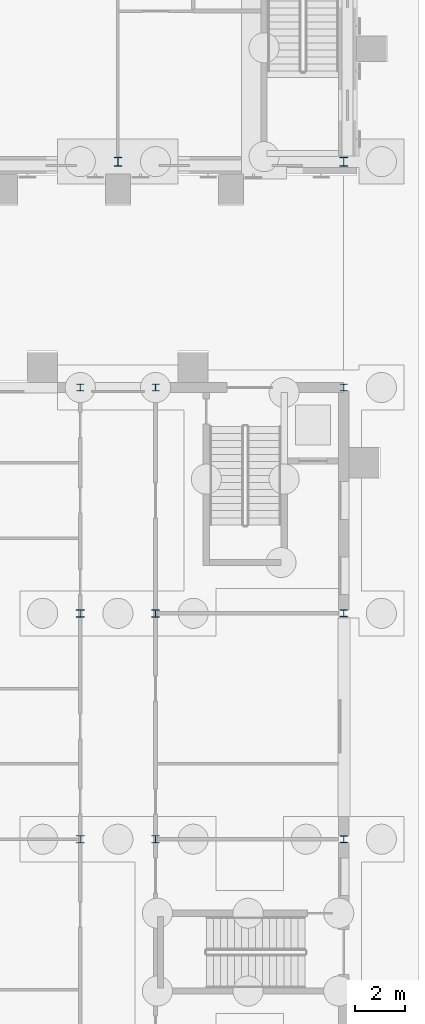
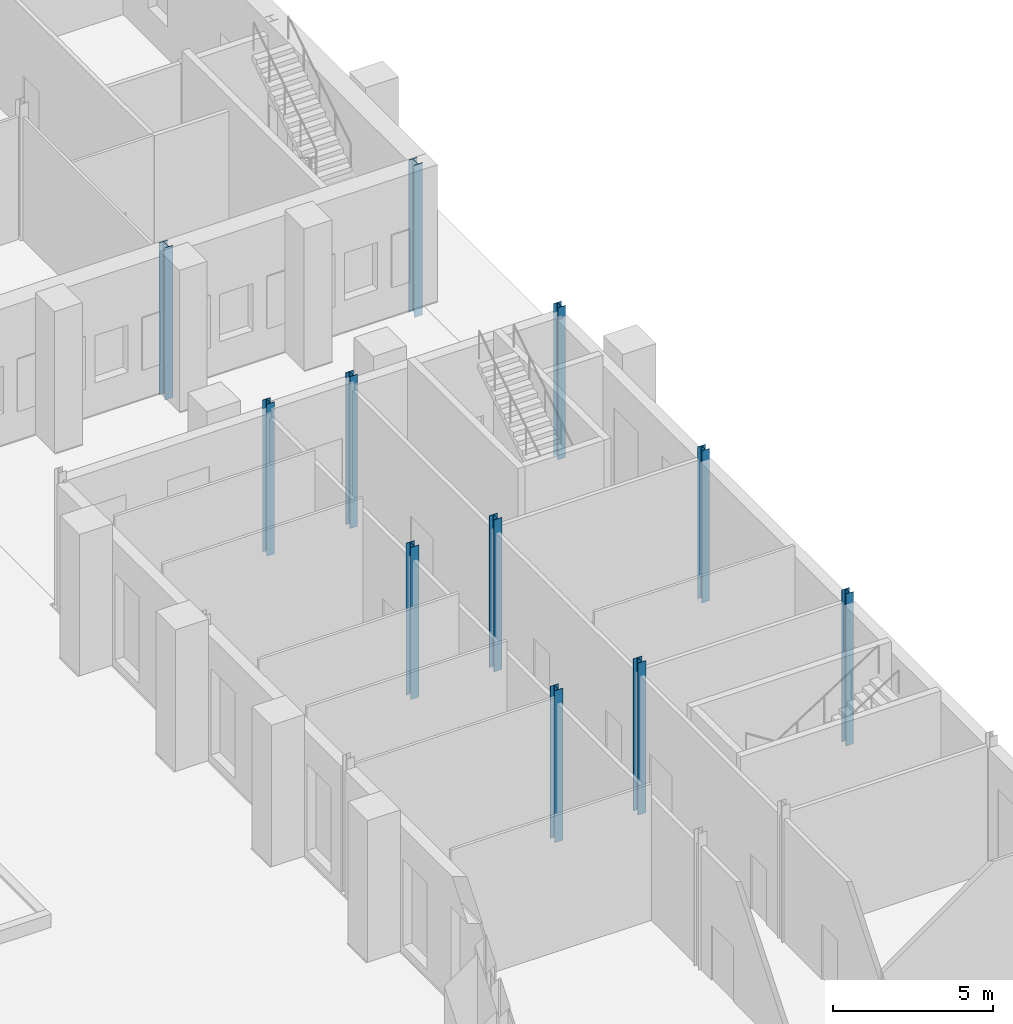
# One storey, part 31 of 168: 11 columns.
"""IFC4 building model written with IfcOpenShell, lengths in metres."""

from ifc_helpers import new_model, si_unit, direction, frame, origin, origin_2d, place, context, subcontext, project, spatial, i_section, extrude, material, material_profile, profile_set, type_object, element, save


model = new_model("IFC4")

# Units and contexts
model_context = context("Model", 3, precision=1e-05, world=origin(), true_north=direction((0.0, 1.0)))
body_context = subcontext(model_context, "Body", "Model", "MODEL_VIEW")
ifc_project = project(units=[si_unit("LENGTHUNIT", "METRE"), si_unit("AREAUNIT", "SQUARE_METRE"), si_unit("VOLUMEUNIT", "CUBIC_METRE"), si_unit("PLANEANGLEUNIT", "RADIAN"), si_unit("MASSUNIT", "GRAM", prefix="KILO")], contexts=[model_context])

# Site, building, storey
site_placement = place(None, origin())
site = spatial("IfcSite", under=ifc_project, at=site_placement, CompositionType="ELEMENT")
building_placement = place(site_placement, origin())
building = spatial("IfcBuilding", under=site, at=building_placement, Name="Golden Quay Civic Hall", CompositionType="ELEMENT")
storey_placement = place(building_placement, origin())
storey = spatial("IfcBuildingStorey", under=building, at=storey_placement, Name="L00", CompositionType="ELEMENT", Elevation=0.0)

# Columns
ifc_material_1 = material(Name="Steel S355", Category="steel")
ifc_material_profile_1 = material_profile(ifc_material_1, i_section(OverallWidth=0.280029296875, OverallDepth=0.27001953125, WebThickness=0.008056640625, FlangeThickness=0.012939453125, FilletRadius=0.02392578125, at=origin_2d()), Name="HEA 280")
ifc_profile_set_1 = profile_set([ifc_material_profile_1], Name="Steel S355")
column_type_1 = type_object("IfcColumnType", Name="Steel column HEA 280", PredefinedType="COLUMN", material=ifc_profile_set_1)
for number, where, z_axis, x_axis, name in (
    (1, (160.5, 54.0, -0.60009765625), (0.0, 0.0, 1.0), (1.0, 0.0, 0.0), "Column 160.5/54 L00"),
    (2, (163.5, 54.0, -0.60009765625), (0.0, 0.0, 1.0), (1.0, 0.0, 0.0), "Column 163.5/54 L00"),
    (3, (171.0, 36.0, -0.60009765625), (0.0, 0.0, 1.0), (1.0, 0.0, 0.0), "Column 171/36 L00"),
    (4, (171.0, 45.0, -0.60009765625), (0.0, 0.0, 1.0), (1.0, 0.0, 0.0), "Column 171/45 L00"),
    (5, (171.0, 54.0, -0.60009765625), (0.0, 0.0, 1.0), (1.0, 0.0, 0.0), "Column 171/54 L00"),
):
    element("IfcColumn", number, at=place(storey_placement, frame(where, z_axis=z_axis, x_axis=x_axis)), inside=storey, type_object=column_type_1, Name=name, PredefinedType="COLUMN", context=body_context, shape_type="SweptSolid", body=[
        extrude(i_section(OverallWidth=0.280029296875, OverallDepth=0.27001953125, WebThickness=0.008056640625, FlangeThickness=0.012939453125, FilletRadius=0.02392578125, at=origin_2d()), origin(), (0.0, 0.0, 1.0), 5.800048828125),
    ])
ifc_material_2 = material(Name="Steel S355", Category="steel")
ifc_material_profile_2 = material_profile(ifc_material_2, i_section(OverallWidth=0.300048828125, OverallDepth=0.2900390625, WebThickness=0.008544921875, FlangeThickness=0.013916015625, FilletRadius=0.027099609375, at=origin_2d()), Name="HEA 300")
ifc_profile_set_2 = profile_set([ifc_material_profile_2], Name="Steel S355")
column_type_2 = type_object("IfcColumnType", Name="Steel column HEA 300", PredefinedType="COLUMN", material=ifc_profile_set_2)
for number, where, z_axis, x_axis, name in (
    (6, (160.5, 36.0, -0.60009765625), (0.0, 0.0, 1.0), (1.0, 0.0, 0.0), "Column 160.5/36 L00"),
    (7, (160.5, 45.0, -0.60009765625), (0.0, 0.0, 1.0), (1.0, 0.0, 0.0), "Column 160.5/45 L00"),
    (8, (163.5, 36.0, -0.60009765625), (0.0, 0.0, 1.0), (1.0, 0.0, 0.0), "Column 163.5/36 L00"),
    (9, (163.5, 45.0, -0.60009765625), (0.0, 0.0, 1.0), (1.0, 0.0, 0.0), "Column 163.5/45 L00"),
):
    element("IfcColumn", number, at=place(storey_placement, frame(where, z_axis=z_axis, x_axis=x_axis)), inside=storey, type_object=column_type_2, Name=name, PredefinedType="COLUMN", context=body_context, shape_type="SweptSolid", body=[
        extrude(i_section(OverallWidth=0.300048828125, OverallDepth=0.2900390625, WebThickness=0.008544921875, FlangeThickness=0.013916015625, FilletRadius=0.027099609375, at=origin_2d()), origin(), (0.0, 0.0, 1.0), 5.800048828125),
    ])
ifc_material_3 = material(Name="Steel S355", Category="steel")
ifc_material_profile_3 = material_profile(ifc_material_3, i_section(OverallWidth=0.300048828125, OverallDepth=0.360107421875, WebThickness=0.012451171875, FlangeThickness=0.0224609375, FilletRadius=0.027099609375, at=origin_2d()), Name="HEB 360")
ifc_profile_set_3 = profile_set([ifc_material_profile_3], Name="Steel S355")
column_type_3 = type_object("IfcColumnType", Name="Steel column HEB 360", PredefinedType="COLUMN", material=ifc_profile_set_3)
for number, where, z_axis, x_axis, name in (
    (10, (162.0, 63.0, -0.60009765625), (0.0, 0.0, 1.0), (1.0, 0.0, 0.0), "L00 column 162/63"),
    (11, (171.0, 63.0, -0.60009765625), (0.0, 0.0, 1.0), (1.0, 0.0, 0.0), "L00 column 171/63"),
):
    element("IfcColumn", number, at=place(storey_placement, frame(where, z_axis=z_axis, x_axis=x_axis)), inside=storey, type_object=column_type_3, Name=name, PredefinedType="COLUMN", context=body_context, shape_type="SweptSolid", body=[
        extrude(i_section(OverallWidth=0.300048828125, OverallDepth=0.360107421875, WebThickness=0.012451171875, FlangeThickness=0.0224609375, FilletRadius=0.027099609375, at=origin_2d()), origin(), (0.0, 0.0, 1.0), 5.800048828125),
    ])

save(model, "model.ifc")
